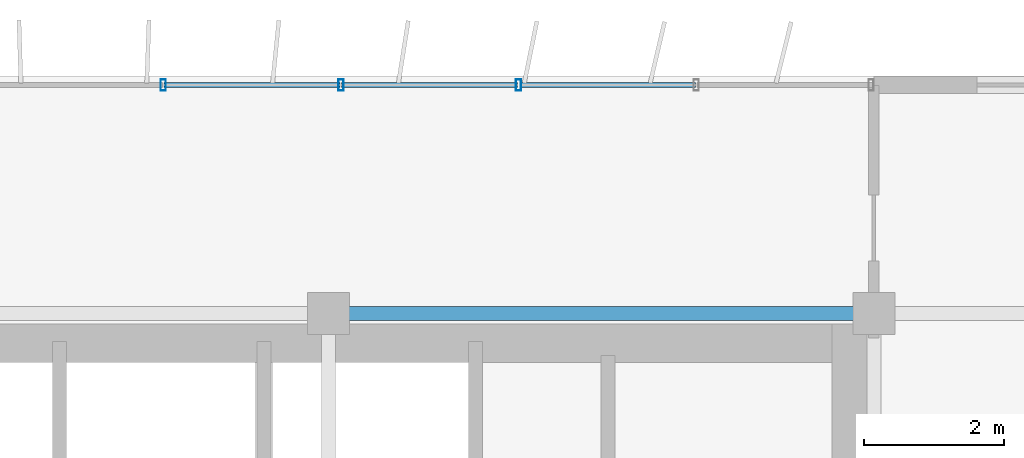
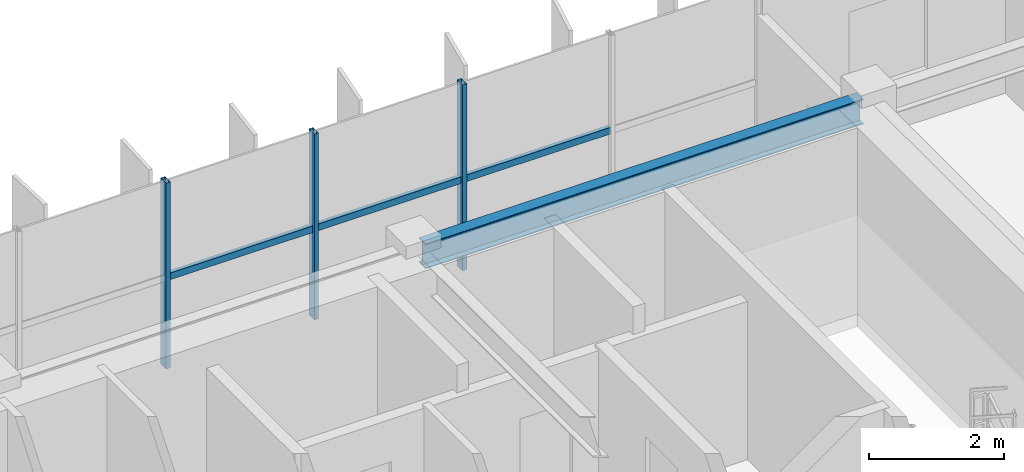
# One storey, part 12 of 23: 6 members, 1 beam, 1 element without a shape of its own.
"""IFC4 building model written with IfcOpenShell, lengths in metres."""

from ifc_helpers import new_model, si_unit, direction, frame, origin, origin_2d, place, context, subcontext, project, spatial, hollow_rectangle, i_section, extrude, source, transform, mapped, material, material_profile, profile_set, type_object, element, aggregate, save


model = new_model("IFC4")

# Units and contexts
model_context = context("Model", 3, precision=1e-05, world=origin(), true_north=direction((0.0, 1.0)))
body_context = subcontext(model_context, "Body", "Model", "MODEL_VIEW")
ifc_project = project(units=[si_unit("LENGTHUNIT", "METRE"), si_unit("AREAUNIT", "SQUARE_METRE"), si_unit("VOLUMEUNIT", "CUBIC_METRE"), si_unit("PLANEANGLEUNIT", "RADIAN"), si_unit("MASSUNIT", "GRAM", prefix="KILO")], contexts=[model_context])

# Site, building, storey
site_placement = place(None, origin())
site = spatial("IfcSite", under=ifc_project, at=site_placement, CompositionType="ELEMENT")
building_placement = place(site_placement, origin())
building = spatial("IfcBuilding", under=site, at=building_placement, Name="Trelvane Seafront Commons", CompositionType="ELEMENT")
storey_placement = place(building_placement, frame((0.0, 0.0, 266.699951171875)))
storey = spatial("IfcBuildingStorey", under=building, at=storey_placement, Name="L69", CompositionType="ELEMENT", Elevation=266.699951171875)

# Beam
ifc_material_1 = material(Name="Steel SM355 (S355)", Category="steel")
ifc_material_profile_1 = material_profile(ifc_material_1, i_section(OverallWidth=0.199951171875, OverallDepth=0.449951171875, WebThickness=0.009033203125, FlangeThickness=0.013916015625, at=origin_2d()), Name="H-450x200x9x14")
ifc_profile_set_1 = profile_set([ifc_material_profile_1], Name="Steel SM355 (S355)")
beam_type = type_object("IfcBeamType", Name="STR-SPD-H450", PredefinedType="SPANDREL", material=ifc_profile_set_1)
shared_shape_1 = source(origin(), body_context, "Body", "SweptSolid", [
    extrude(i_section(OverallWidth=0.199951171875, OverallDepth=0.449951171875, WebThickness=0.009033203125, FlangeThickness=0.013916015625, at=origin_2d()), origin(), (0.0, 0.0, 1.0), 7.5),
])
beam_placement = place(storey_placement, frame((51.14990234375, 45.10009765625, 3.14501953125), z_axis=(1.0, 0.0, 0.0), x_axis=(0.0, 1.0, 0.0)))
element("IfcBeam", 1, at=beam_placement, inside=storey, type_object=beam_type, Name="L69 Primary Girder G-27", PredefinedType="SPANDREL", context=body_context, shape_type="MappedRepresentation", body=[
    mapped(shared_shape_1, transform((0.0, 0.0, 0.0), x_axis=(1.0, 0.0, 0.0), y_axis=(0.0, 1.0, 0.0), z_axis=(0.0, 0.0, 1.0), scale=1.0)),
])

# Curtain wall, members
ifc_material_2 = material(Name="Anodised pale-silver aluminium", Category="aluminium")
curtain_wall_type = type_object("IfcCurtainWallType", Name="ARCH-CW5-UPTOWER", PredefinedType="NOTDEFINED", material=ifc_material_2)
curtain_wall_placement = place(storey_placement, origin())
curtain_wall = element("IfcCurtainWall", 2, at=curtain_wall_placement, inside=storey, type_object=curtain_wall_type, Name="CW-L69-0113", PredefinedType="NOTDEFINED")
ifc_material_profile_2 = material_profile(ifc_material_2, hollow_rectangle(XDim=0.070068359375, YDim=0.1201171875, WallThickness=0.00390625, at=origin_2d()), Name="TRAN-70x120x4")
ifc_profile_set_2 = profile_set([ifc_material_profile_2], Name="Anodised pale-silver aluminium")
member_type_1 = type_object("IfcMemberType", Name="ARCH-CW-TRAN-120", PredefinedType="USERDEFINED", material=ifc_profile_set_2)
shared_shape_2 = source(origin(), body_context, "Body", "SweptSolid", [
    extrude(hollow_rectangle(XDim=0.070068359375, YDim=0.1201171875, WallThickness=0.00390625, at=origin_2d()), origin(), (0.0, 0.0, 1.0), 2.51708984375),
])
member_1_placement = place(storey_placement, frame((51.1884765625, 48.3701171875, 1.6181640625), z_axis=(1.0, 0.0, 0.0), x_axis=(0.0, 1.0, 0.0)))
member_1 = element("IfcMember", 3, at=member_1_placement, type_object=member_type_1, Name="CW-L69-0113-T14", ObjectType="TRANSOM", PredefinedType="USERDEFINED", context=body_context, shape_type="MappedRepresentation", body=[
    mapped(shared_shape_2, transform((0.0, 0.0, 0.0), x_axis=(1.0, 0.0, 0.0), y_axis=(0.0, 1.0, 0.0), z_axis=(0.0, 0.0, 1.0), scale=1.0)),
])
shared_shape_3 = source(origin(), body_context, "Body", "SweptSolid", [
    extrude(hollow_rectangle(XDim=0.070068359375, YDim=0.1201171875, WallThickness=0.00390625, at=origin_2d()), origin(), (0.0, 0.0, 1.0), 2.517333984375),
])
member_2_placement = place(storey_placement, frame((48.647216796875, 48.3701171875, 1.6181640625), z_axis=(1.0, 0.0, 0.0), x_axis=(0.0, 1.0, 0.0)))
member_2 = element("IfcMember", 4, at=member_2_placement, type_object=member_type_1, Name="CW-L69-0113-T13", ObjectType="TRANSOM", PredefinedType="USERDEFINED", context=body_context, shape_type="MappedRepresentation", body=[
    mapped(shared_shape_3, transform((0.0, 0.0, 0.0), x_axis=(1.0, 0.0, 0.0), y_axis=(0.0, 1.0, 0.0), z_axis=(0.0, 0.0, 1.0), scale=1.0)),
])
member_3_placement = place(storey_placement, frame((53.7294921875, 48.3701171875, 1.6181640625), z_axis=(1.0, 0.0, 0.0), x_axis=(0.0, 1.0, 0.0)))
member_3 = element("IfcMember", 5, at=member_3_placement, type_object=member_type_1, Name="CW-L69-0113-T15", ObjectType="TRANSOM", PredefinedType="USERDEFINED", context=body_context, shape_type="MappedRepresentation", body=[
    mapped(shared_shape_3, transform((0.0, 0.0, 0.0), x_axis=(1.0, 0.0, 0.0), y_axis=(0.0, 1.0, 0.0), z_axis=(0.0, 0.0, 1.0), scale=1.0)),
])
ifc_material_profile_3 = material_profile(ifc_material_2, hollow_rectangle(XDim=0.074951171875, YDim=0.159912109375, WallThickness=0.00390625, at=origin_2d()), Name="MULL-75x160x4")
ifc_profile_set_3 = profile_set([ifc_material_profile_3], Name="Anodised pale-silver aluminium")
member_type_2 = type_object("IfcMemberType", Name="ARCH-CW-MULL-160", PredefinedType="MULLION", material=ifc_profile_set_3)
shared_shape_4 = source(origin(), body_context, "Body", "SweptSolid", [
    extrude(hollow_rectangle(XDim=0.074951171875, YDim=0.159912109375, WallThickness=0.00390625, at=origin_2d()), origin(), (0.0, 0.0, 1.0), 3.3701171875),
])
member_4_placement = place(storey_placement, frame((48.63525390625, 48.3701171875, 0.0), z_axis=(0.0, 0.0, 1.0), x_axis=(1.0, 0.0, 0.0)))
member_4 = element("IfcMember", 6, at=member_4_placement, type_object=member_type_2, Name="CW-L69-0113-M13", PredefinedType="MULLION", context=body_context, shape_type="MappedRepresentation", body=[
    mapped(shared_shape_4, transform((0.0, 0.0, 0.0), x_axis=(1.0, 0.0, 0.0), y_axis=(0.0, 1.0, 0.0), z_axis=(0.0, 0.0, 1.0), scale=1.0)),
])
member_5_placement = place(storey_placement, frame((51.176513671875, 48.3701171875, 0.0), z_axis=(0.0, 0.0, 1.0), x_axis=(1.0, 0.0, 0.0)))
member_5 = element("IfcMember", 7, at=member_5_placement, type_object=member_type_2, Name="CW-L69-0113-M14", PredefinedType="MULLION", context=body_context, shape_type="MappedRepresentation", body=[
    mapped(shared_shape_4, transform((0.0, 0.0, 0.0), x_axis=(1.0, 0.0, 0.0), y_axis=(0.0, 1.0, 0.0), z_axis=(0.0, 0.0, 1.0), scale=1.0)),
])
member_6_placement = place(storey_placement, frame((53.717529296875, 48.3701171875, 0.0), z_axis=(0.0, 0.0, 1.0), x_axis=(1.0, 0.0, 0.0)))
member_6 = element("IfcMember", 8, at=member_6_placement, type_object=member_type_2, Name="CW-L69-0113-M15", PredefinedType="MULLION", context=body_context, shape_type="MappedRepresentation", body=[
    mapped(shared_shape_4, transform((0.0, 0.0, 0.0), x_axis=(1.0, 0.0, 0.0), y_axis=(0.0, 1.0, 0.0), z_axis=(0.0, 0.0, 1.0), scale=1.0)),
])
aggregate(curtain_wall, [member_4, member_5, member_6, member_2, member_1, member_3])

save(model, "model.ifc")
